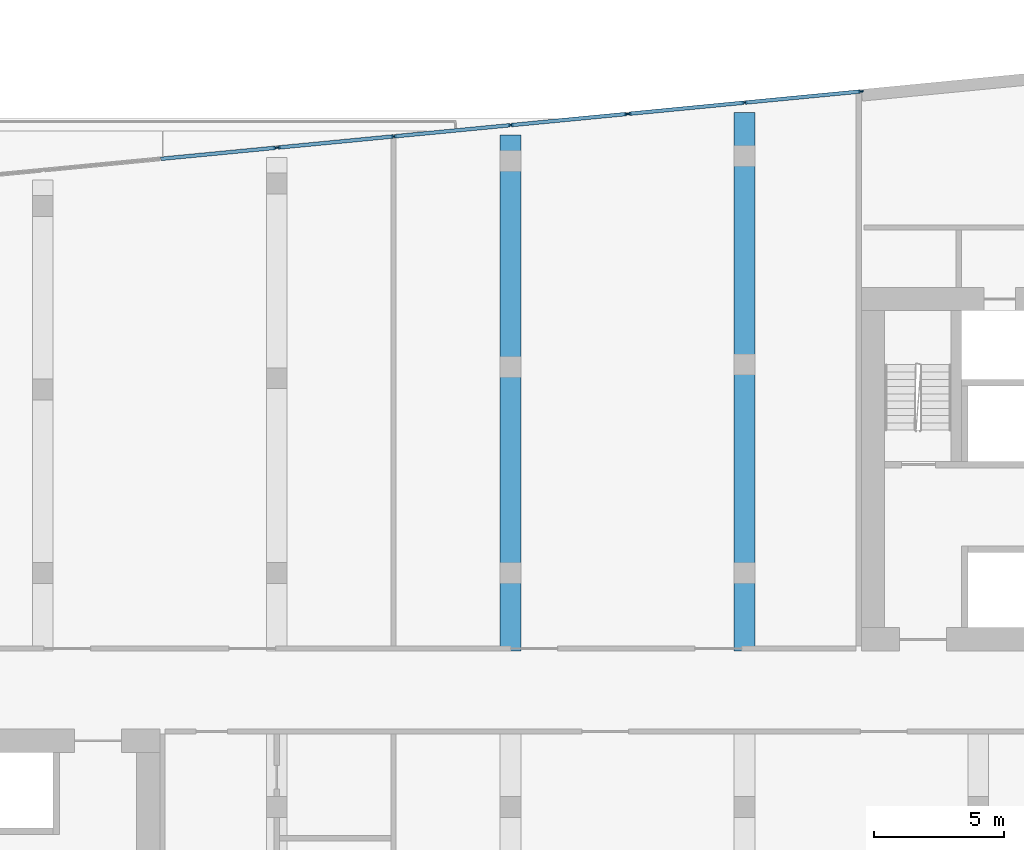
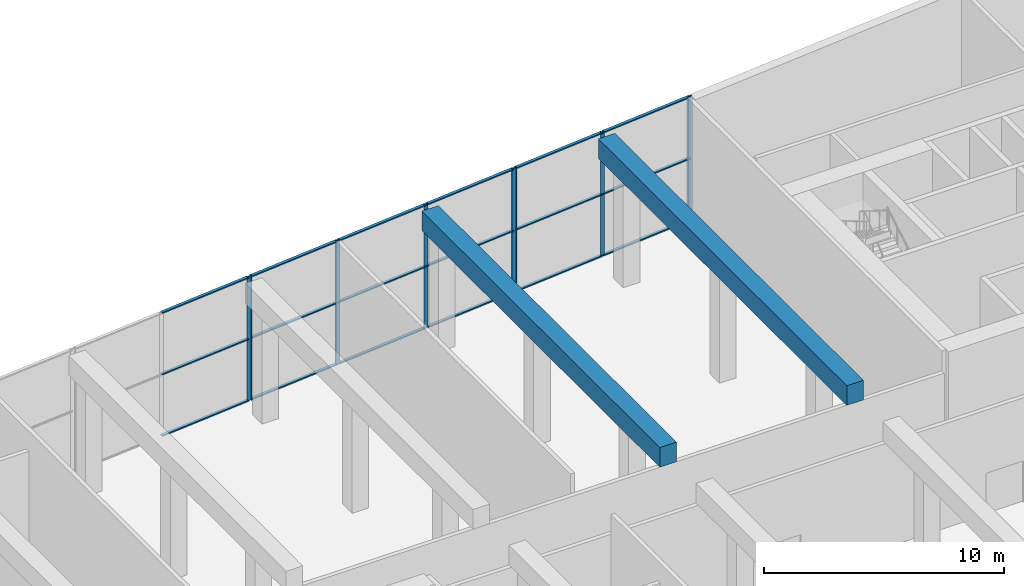
# One storey, part 6 of 25: 26 members, 2 beams, 3 elements without a shape of their own.
"""IFC4 building model written with IfcOpenShell, lengths in metres."""

from ifc_helpers import new_model, si_unit, direction, frame, origin, origin_2d, place, context, subcontext, project, spatial, rectangle, extrude, material, material_profile, profile_set, type_object, element, aggregate, save


model = new_model("IFC4")

# Units and contexts
model_context = context("Model", 3, precision=1e-05, world=origin(), true_north=direction((0.0, 1.0)))
body_context = subcontext(model_context, "Body", "Model", "MODEL_VIEW")
ifc_project = project(units=[si_unit("LENGTHUNIT", "METRE"), si_unit("AREAUNIT", "SQUARE_METRE"), si_unit("VOLUMEUNIT", "CUBIC_METRE"), si_unit("PLANEANGLEUNIT", "RADIAN"), si_unit("MASSUNIT", "GRAM", prefix="KILO")], contexts=[model_context])

# Site, building, storey
site_placement = place(None, origin())
site = spatial("IfcSite", under=ifc_project, at=site_placement, CompositionType="ELEMENT")
building_placement = place(site_placement, origin())
building = spatial("IfcBuilding", under=site, at=building_placement, Name="Kajstack Hotel Tower", CompositionType="ELEMENT")
storey_placement = place(building_placement, frame((0.0, 0.0, 104.199951171875)))
storey = spatial("IfcBuildingStorey", under=building, at=storey_placement, Name="L22", CompositionType="ELEMENT", Elevation=104.199951171875)

# Curtain wall, members
ifc_material_1 = material(Name="Aluminium-framed curtain wall, low-iron insulated glass", Category="aluminium")
curtain_wall_type = type_object("IfcCurtainWallType", Name="CW-GARDEN", PredefinedType="NOTDEFINED", material=ifc_material_1)
curtain_wall_1_placement = place(storey_placement, origin())
curtain_wall_1 = element("IfcCurtainWall", 1, at=curtain_wall_1_placement, inside=storey, type_object=curtain_wall_type, Name="Curtain wall CU6 L22-12-02-0", PredefinedType="NOTDEFINED")
ifc_material_2 = material(Name="Aluminium", Category="aluminium")
ifc_material_profile_1 = material_profile(ifc_material_2, rectangle(XDim=0.06005859375, YDim=0.199951171875, at=origin_2d()), Name="Aluminium mullion 60 x 200")
ifc_profile_set_1 = profile_set([ifc_material_profile_1], Name="Aluminium")
member_type_1 = type_object("IfcMemberType", Name="CW-M-GARDEN", PredefinedType="MULLION", material=ifc_profile_set_1)
member_1_placement = place(storey_placement, frame((13.477294921875, 23.03662109375, 0.0), z_axis=(0.0, 0.0, 1.0), x_axis=(0.095845540987, -0.995396218735, 0.0)))
member_1 = element("IfcMember", 2, at=member_1_placement, type_object=member_type_1, Name="CU6 mullion 1", PredefinedType="MULLION", context=body_context, shape_type="SweptSolid", body=[
    extrude(rectangle(XDim=0.06005859375, YDim=0.199951171875, at=origin_2d()), origin(), (0.0, 0.0, 1.0), 6.320068359375),
])
member_2_placement = place(storey_placement, frame((9.007080078125, 22.606201171875, 0.0), z_axis=(0.0, 0.0, 1.0), x_axis=(0.095845540987, -0.995396218735, 0.0)))
member_2 = element("IfcMember", 3, at=member_2_placement, type_object=member_type_1, Name="CU6 mullion 2", PredefinedType="MULLION", context=body_context, shape_type="SweptSolid", body=[
    extrude(rectangle(XDim=0.06005859375, YDim=0.199951171875, at=origin_2d()), origin(), (0.0, 0.0, 1.0), 6.320068359375),
])
member_3_placement = place(storey_placement, frame((4.537109375, 22.17578125, 0.0), z_axis=(0.0, 0.0, 1.0), x_axis=(0.095845540987, -0.995396218735, 0.0)))
member_3 = element("IfcMember", 4, at=member_3_placement, type_object=member_type_1, Name="CU6 mullion 3", PredefinedType="MULLION", context=body_context, shape_type="SweptSolid", body=[
    extrude(rectangle(XDim=0.06005859375, YDim=0.199951171875, at=origin_2d()), origin(), (0.0, 0.0, 1.0), 6.320068359375),
])

curtain_wall_2_placement = place(storey_placement, origin())
curtain_wall_2 = element("IfcCurtainWall", 5, at=curtain_wall_2_placement, inside=storey, type_object=curtain_wall_type, Name="Curtain wall CU6 L22-12-02-1", PredefinedType="NOTDEFINED")
member_4_placement = place(storey_placement, frame((4.477294921875, 22.169921875, 0.0), z_axis=(0.0, 0.0, 1.0), x_axis=(0.095845577523, -0.995396215218, 0.0)))
member_4 = element("IfcMember", 6, at=member_4_placement, type_object=member_type_1, Name="CU6 mullion 1", PredefinedType="MULLION", context=body_context, shape_type="SweptSolid", body=[
    extrude(rectangle(XDim=0.06005859375, YDim=0.199951171875, at=origin_2d()), origin(), (0.0, 0.0, 1.0), 6.320068359375),
])
member_5_placement = place(storey_placement, frame((0.00732421875, 21.739501953125, 0.0), z_axis=(0.0, 0.0, 1.0), x_axis=(0.095845577523, -0.995396215218, 0.0)))
member_5 = element("IfcMember", 7, at=member_5_placement, type_object=member_type_1, Name="CU6 mullion 2", PredefinedType="MULLION", context=body_context, shape_type="SweptSolid", body=[
    extrude(rectangle(XDim=0.06005859375, YDim=0.199951171875, at=origin_2d()), origin(), (0.0, 0.0, 1.0), 6.320068359375),
])
member_6_placement = place(storey_placement, frame((-4.49267578125, 21.306396484375, 0.0), z_axis=(0.0, 0.0, 1.0), x_axis=(0.095845577523, -0.995396215218, 0.0)))
member_6 = element("IfcMember", 8, at=member_6_placement, type_object=member_type_1, Name="CU6 mullion 3", PredefinedType="MULLION", context=body_context, shape_type="SweptSolid", body=[
    extrude(rectangle(XDim=0.06005859375, YDim=0.199951171875, at=origin_2d()), origin(), (0.0, 0.0, 1.0), 6.320068359375),
])
member_7_placement = place(storey_placement, frame((-8.962890625, 20.8759765625, 0.0), z_axis=(0.0, 0.0, 1.0), x_axis=(0.095845577523, -0.995396215218, 0.0)))
member_7 = element("IfcMember", 9, at=member_7_placement, type_object=member_type_1, Name="CU6 mullion 4", PredefinedType="MULLION", context=body_context, shape_type="SweptSolid", body=[
    extrude(rectangle(XDim=0.06005859375, YDim=0.199951171875, at=origin_2d()), origin(), (0.0, 0.0, 1.0), 6.320068359375),
])

# Curtain wall, member
curtain_wall_3_placement = place(storey_placement, origin())
curtain_wall_3 = element("IfcCurtainWall", 10, at=curtain_wall_3_placement, inside=storey, type_object=curtain_wall_type, Name="Curtain wall CU6 L22-12-02-2", PredefinedType="NOTDEFINED")
member_8_placement = place(storey_placement, frame((-9.022705078125, 20.8701171875, 0.0), z_axis=(0.0, 0.0, 1.0), x_axis=(0.095845581657, -0.995396214819, 0.0)))
member_8 = element("IfcMember", 11, at=member_8_placement, type_object=member_type_1, Name="CU6 mullion 1", PredefinedType="MULLION", context=body_context, shape_type="SweptSolid", body=[
    extrude(rectangle(XDim=0.06005859375, YDim=0.199951171875, at=origin_2d()), origin(), (0.0, 0.0, 1.0), 6.320068359375),
])

# Member
ifc_material_profile_2 = material_profile(ifc_material_2, rectangle(XDim=0.139892578125, YDim=0.06005859375, at=origin_2d()), Name="Aluminium transom 140 x 60")
ifc_profile_set_2 = profile_set([ifc_material_profile_2], Name="Aluminium")
member_type_2 = type_object("IfcMemberType", Name="CW-T-GARDEN", PredefinedType="USERDEFINED", material=ifc_profile_set_2)
member_9_placement = place(storey_placement, frame((13.447509765625, 23.03369140625, 0.030029296875), z_axis=(-0.995398624916, -0.095820548504, 0.0), x_axis=(0.095820548504, -0.995398624916, 0.0)))
member_9 = element("IfcMember", 12, at=member_9_placement, type_object=member_type_2, Name="CU6 transom 1.1", ObjectType="TRANSOM", PredefinedType="USERDEFINED", context=body_context, shape_type="SweptSolid", body=[
    extrude(rectangle(XDim=0.139892578125, YDim=0.06005859375, at=origin_2d()), origin(), (0.0, 0.0, 1.0), 4.430908203125),
])

member_10_placement = place(storey_placement, frame((13.447509765625, 23.03369140625, 3.16015625), z_axis=(-0.995398624916, -0.095820548504, 0.0), x_axis=(0.095820548504, -0.995398624916, 0.0)))
member_10 = element("IfcMember", 13, at=member_10_placement, type_object=member_type_2, Name="CU6 transom 1.2", ObjectType="TRANSOM", PredefinedType="USERDEFINED", context=body_context, shape_type="SweptSolid", body=[
    extrude(rectangle(XDim=0.139892578125, YDim=0.06005859375, at=origin_2d()), origin(), (0.0, 0.0, 1.0), 4.430908203125),
])

member_11_placement = place(storey_placement, frame((13.447509765625, 23.03369140625, 6.2900390625), z_axis=(-0.995398624916, -0.095820548504, 0.0), x_axis=(0.095820548504, -0.995398624916, 0.0)))
member_11 = element("IfcMember", 14, at=member_11_placement, type_object=member_type_2, Name="CU6 transom 1.3", ObjectType="TRANSOM", PredefinedType="USERDEFINED", context=body_context, shape_type="SweptSolid", body=[
    extrude(rectangle(XDim=0.139892578125, YDim=0.06005859375, at=origin_2d()), origin(), (0.0, 0.0, 1.0), 4.430908203125),
])

member_12_placement = place(storey_placement, frame((8.977294921875, 22.603271484375, 0.030029296875), z_axis=(-0.995398624916, -0.095820548504, 0.0), x_axis=(0.095820548504, -0.995398624916, 0.0)))
member_12 = element("IfcMember", 15, at=member_12_placement, type_object=member_type_2, Name="CU6 transom 2.1", ObjectType="TRANSOM", PredefinedType="USERDEFINED", context=body_context, shape_type="SweptSolid", body=[
    extrude(rectangle(XDim=0.139892578125, YDim=0.06005859375, at=origin_2d()), origin(), (0.0, 0.0, 1.0), 4.430908203125),
])

member_13_placement = place(storey_placement, frame((8.977294921875, 22.603271484375, 3.16015625), z_axis=(-0.995398624916, -0.095820548504, 0.0), x_axis=(0.095820548504, -0.995398624916, 0.0)))
member_13 = element("IfcMember", 16, at=member_13_placement, type_object=member_type_2, Name="CU6 transom 2.2", ObjectType="TRANSOM", PredefinedType="USERDEFINED", context=body_context, shape_type="SweptSolid", body=[
    extrude(rectangle(XDim=0.139892578125, YDim=0.06005859375, at=origin_2d()), origin(), (0.0, 0.0, 1.0), 4.430908203125),
])

member_14_placement = place(storey_placement, frame((8.977294921875, 22.603271484375, 6.2900390625), z_axis=(-0.995398624916, -0.095820548504, 0.0), x_axis=(0.095820548504, -0.995398624916, 0.0)))
member_14 = element("IfcMember", 17, at=member_14_placement, type_object=member_type_2, Name="CU6 transom 2.3", ObjectType="TRANSOM", PredefinedType="USERDEFINED", context=body_context, shape_type="SweptSolid", body=[
    extrude(rectangle(XDim=0.139892578125, YDim=0.06005859375, at=origin_2d()), origin(), (0.0, 0.0, 1.0), 4.430908203125),
])

aggregate(curtain_wall_1, [member_1, member_2, member_3, member_9, member_10, member_11, member_12, member_13, member_14])

member_15_placement = place(storey_placement, frame((4.447509765625, 22.167236328125, 0.030029296875), z_axis=(-0.995393367938, -0.095875143106, 0.0), x_axis=(0.095875143106, -0.995393367938, 0.0)))
member_15 = element("IfcMember", 18, at=member_15_placement, type_object=member_type_2, Name="CU6 transom 1.1", ObjectType="TRANSOM", PredefinedType="USERDEFINED", context=body_context, shape_type="SweptSolid", body=[
    extrude(rectangle(XDim=0.139892578125, YDim=0.06005859375, at=origin_2d()), origin(), (0.0, 0.0, 1.0), 4.430908203125),
])

member_16_placement = place(storey_placement, frame((4.447509765625, 22.167236328125, 3.16015625), z_axis=(-0.995393367938, -0.095875143106, 0.0), x_axis=(0.095875143106, -0.995393367938, 0.0)))
member_16 = element("IfcMember", 19, at=member_16_placement, type_object=member_type_2, Name="CU6 transom 1.2", ObjectType="TRANSOM", PredefinedType="USERDEFINED", context=body_context, shape_type="SweptSolid", body=[
    extrude(rectangle(XDim=0.139892578125, YDim=0.06005859375, at=origin_2d()), origin(), (0.0, 0.0, 1.0), 4.430908203125),
])

member_17_placement = place(storey_placement, frame((4.447509765625, 22.167236328125, 6.2900390625), z_axis=(-0.995393367938, -0.095875143106, 0.0), x_axis=(0.095875143106, -0.995393367938, 0.0)))
member_17 = element("IfcMember", 20, at=member_17_placement, type_object=member_type_2, Name="CU6 transom 1.3", ObjectType="TRANSOM", PredefinedType="USERDEFINED", context=body_context, shape_type="SweptSolid", body=[
    extrude(rectangle(XDim=0.139892578125, YDim=0.06005859375, at=origin_2d()), origin(), (0.0, 0.0, 1.0), 4.430908203125),
])

member_18_placement = place(storey_placement, frame((-0.022705078125, 21.73681640625, 0.030029296875), z_axis=(-0.995392066753, -0.095888651287, 0.0), x_axis=(0.095888651287, -0.995392066753, 0.0)))
member_18 = element("IfcMember", 21, at=member_18_placement, type_object=member_type_2, Name="CU6 transom 2.1", ObjectType="TRANSOM", PredefinedType="USERDEFINED", context=body_context, shape_type="SweptSolid", body=[
    extrude(rectangle(XDim=0.139892578125, YDim=0.06005859375, at=origin_2d()), origin(), (0.0, 0.0, 1.0), 4.460693359375),
])

member_19_placement = place(storey_placement, frame((-0.022705078125, 21.73681640625, 3.16015625), z_axis=(-0.995392066753, -0.095888651287, 0.0), x_axis=(0.095888651287, -0.995392066753, 0.0)))
member_19 = element("IfcMember", 22, at=member_19_placement, type_object=member_type_2, Name="CU6 transom 2.2", ObjectType="TRANSOM", PredefinedType="USERDEFINED", context=body_context, shape_type="SweptSolid", body=[
    extrude(rectangle(XDim=0.139892578125, YDim=0.06005859375, at=origin_2d()), origin(), (0.0, 0.0, 1.0), 4.460693359375),
])

member_20_placement = place(storey_placement, frame((-0.022705078125, 21.73681640625, 6.2900390625), z_axis=(-0.995392066753, -0.095888651287, 0.0), x_axis=(0.095888651287, -0.995392066753, 0.0)))
member_20 = element("IfcMember", 23, at=member_20_placement, type_object=member_type_2, Name="CU6 transom 2.3", ObjectType="TRANSOM", PredefinedType="USERDEFINED", context=body_context, shape_type="SweptSolid", body=[
    extrude(rectangle(XDim=0.139892578125, YDim=0.06005859375, at=origin_2d()), origin(), (0.0, 0.0, 1.0), 4.460693359375),
])

member_21_placement = place(storey_placement, frame((-4.522705078125, 21.303466796875, 0.030029296875), z_axis=(-0.995393367938, -0.095875143106, 0.0), x_axis=(0.095875143106, -0.995393367938, 0.0)))
member_21 = element("IfcMember", 24, at=member_21_placement, type_object=member_type_2, Name="CU6 transom 3.1", ObjectType="TRANSOM", PredefinedType="USERDEFINED", context=body_context, shape_type="SweptSolid", body=[
    extrude(rectangle(XDim=0.139892578125, YDim=0.06005859375, at=origin_2d()), origin(), (0.0, 0.0, 1.0), 4.430908203125),
])

member_22_placement = place(storey_placement, frame((-4.522705078125, 21.303466796875, 3.16015625), z_axis=(-0.995393367938, -0.095875143106, 0.0), x_axis=(0.095875143106, -0.995393367938, 0.0)))
member_22 = element("IfcMember", 25, at=member_22_placement, type_object=member_type_2, Name="CU6 transom 3.2", ObjectType="TRANSOM", PredefinedType="USERDEFINED", context=body_context, shape_type="SweptSolid", body=[
    extrude(rectangle(XDim=0.139892578125, YDim=0.06005859375, at=origin_2d()), origin(), (0.0, 0.0, 1.0), 4.430908203125),
])

member_23_placement = place(storey_placement, frame((-4.522705078125, 21.303466796875, 6.2900390625), z_axis=(-0.995393367938, -0.095875143106, 0.0), x_axis=(0.095875143106, -0.995393367938, 0.0)))
member_23 = element("IfcMember", 26, at=member_23_placement, type_object=member_type_2, Name="CU6 transom 3.3", ObjectType="TRANSOM", PredefinedType="USERDEFINED", context=body_context, shape_type="SweptSolid", body=[
    extrude(rectangle(XDim=0.139892578125, YDim=0.06005859375, at=origin_2d()), origin(), (0.0, 0.0, 1.0), 4.430908203125),
])

aggregate(curtain_wall_2, [member_4, member_5, member_6, member_7, member_15, member_16, member_17, member_18, member_19, member_20, member_21, member_22, member_23])

member_24_placement = place(storey_placement, frame((-9.052490234375, 20.8671875, 0.030029296875), z_axis=(-0.995398624916, -0.095820548504, 0.0), x_axis=(0.095820548504, -0.995398624916, 0.0)))
member_24 = element("IfcMember", 27, at=member_24_placement, type_object=member_type_2, Name="CU6 transom 1.1", ObjectType="TRANSOM", PredefinedType="USERDEFINED", context=body_context, shape_type="SweptSolid", body=[
    extrude(rectangle(XDim=0.139892578125, YDim=0.06005859375, at=origin_2d()), origin(), (0.0, 0.0, 1.0), 4.430908203125),
])

member_25_placement = place(storey_placement, frame((-9.052490234375, 20.8671875, 3.16015625), z_axis=(-0.995398624916, -0.095820548504, 0.0), x_axis=(0.095820548504, -0.995398624916, 0.0)))
member_25 = element("IfcMember", 28, at=member_25_placement, type_object=member_type_2, Name="CU6 transom 1.2", ObjectType="TRANSOM", PredefinedType="USERDEFINED", context=body_context, shape_type="SweptSolid", body=[
    extrude(rectangle(XDim=0.139892578125, YDim=0.06005859375, at=origin_2d()), origin(), (0.0, 0.0, 1.0), 4.430908203125),
])

member_26_placement = place(storey_placement, frame((-9.052490234375, 20.8671875, 6.2900390625), z_axis=(-0.995398624916, -0.095820548504, 0.0), x_axis=(0.095820548504, -0.995398624916, 0.0)))
member_26 = element("IfcMember", 29, at=member_26_placement, type_object=member_type_2, Name="CU6 transom 1.3", ObjectType="TRANSOM", PredefinedType="USERDEFINED", context=body_context, shape_type="SweptSolid", body=[
    extrude(rectangle(XDim=0.139892578125, YDim=0.06005859375, at=origin_2d()), origin(), (0.0, 0.0, 1.0), 4.430908203125),
])

aggregate(curtain_wall_3, [member_8, member_24, member_25, member_26])

# Beams
ifc_material_3 = material(Name="Concrete C60/75", Category="concrete")
ifc_material_profile_3 = material_profile(ifc_material_3, rectangle(XDim=0.800048828125, YDim=1.0, at=origin_2d()), Name="RC 800x1000")
ifc_profile_set_3 = profile_set([ifc_material_profile_3], Name="Concrete C60/75")
beam_type = type_object("IfcBeamType", Name="TG2 RC 800x1000 C60/75", PredefinedType="BEAM", material=ifc_profile_set_3)
beam_1_placement = place(storey_placement, frame((0.0, 1.5, 5.820068359375), z_axis=(0.0, 1.0, 0.0), x_axis=(-1.0, 0.0, 0.0)))
element("IfcBeam", 30, at=beam_1_placement, inside=storey, type_object=beam_type, Name="S-girder-L22-+0p0-2", PredefinedType="BEAM", context=body_context, shape_type="SweptSolid", body=[
    extrude(rectangle(XDim=0.800048828125, YDim=1.0, at=origin_2d()), origin(), (0.0, 0.0, 1.0), 19.8623046875),
])
beam_2_placement = place(storey_placement, frame((9.0, 1.5, 5.820068359375), z_axis=(0.0, 1.0, 0.0), x_axis=(-1.0, 0.0, 0.0)))
element("IfcBeam", 31, at=beam_2_placement, inside=storey, type_object=beam_type, Name="S-girder-L22-+9p0-2", PredefinedType="BEAM", context=body_context, shape_type="SweptSolid", body=[
    extrude(rectangle(XDim=0.800048828125, YDim=1.0, at=origin_2d()), origin(), (0.0, 0.0, 1.0), 20.728759765625),
])

save(model, "model.ifc")
